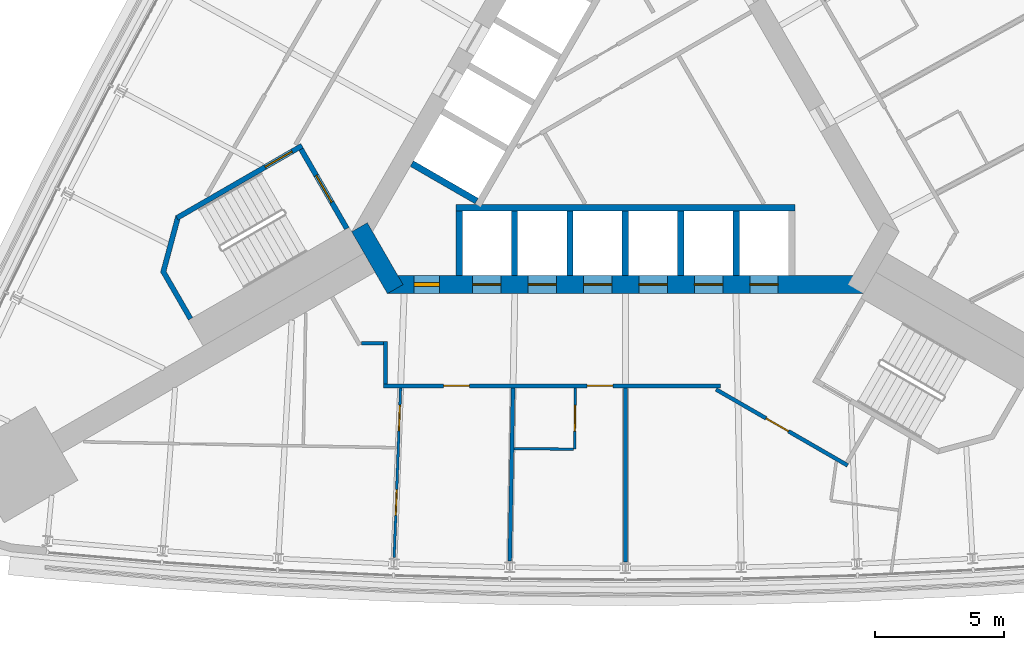
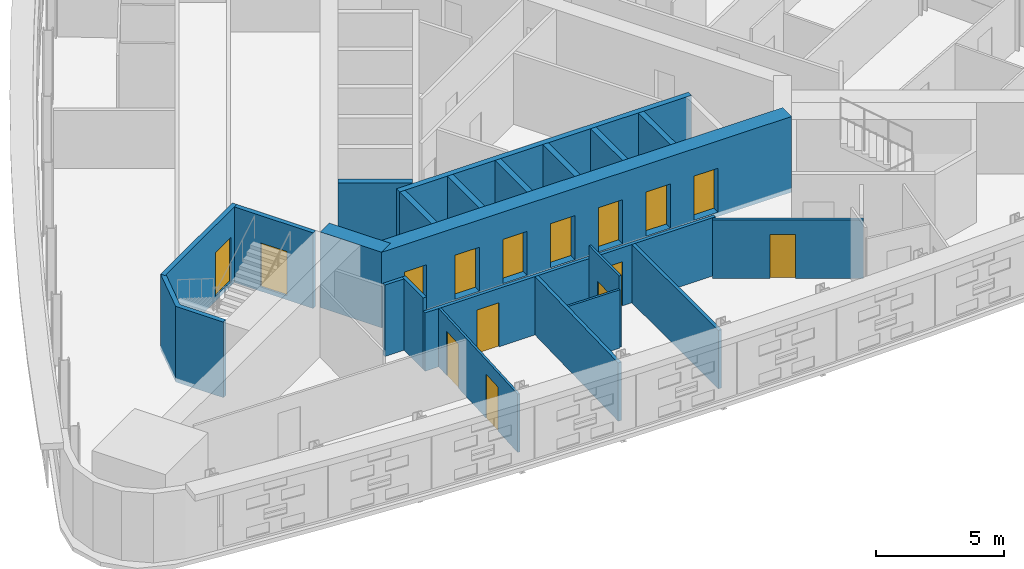
# One storey, part 10 of 15: 22 walls, 15 doors, 15 openings.
"""IFC4 building model written with IfcOpenShell, lengths in metres."""

from ifc_helpers import new_model, si_unit, direction, frame, frame_2d, origin, place, context, subcontext, project, spatial, polyline, rectangle, outline, extrude, material, layer, layer_set, type_object, element, fill, save


model = new_model("IFC4")

# Units and contexts
model_context = context("Model", 3, precision=1e-05, world=origin(), true_north=direction((0.0, 1.0)))
body_context = subcontext(model_context, "Body", "Model", "MODEL_VIEW")
ifc_project = project(units=[si_unit("LENGTHUNIT", "METRE"), si_unit("AREAUNIT", "SQUARE_METRE"), si_unit("VOLUMEUNIT", "CUBIC_METRE"), si_unit("PLANEANGLEUNIT", "RADIAN"), si_unit("MASSUNIT", "GRAM", prefix="KILO")], contexts=[model_context])

# Site, building, storey
site_placement = place(None, origin())
site = spatial("IfcSite", under=ifc_project, at=site_placement, CompositionType="ELEMENT")
building_placement = place(site_placement, origin())
building = spatial("IfcBuilding", under=site, at=building_placement, Name="Noor Cloister Tower", CompositionType="ELEMENT")
storey_placement = place(building_placement, frame((0.0, 0.0, 45.60009765625)))
storey = spatial("IfcBuildingStorey", under=building, at=storey_placement, Name="L11", CompositionType="ELEMENT", Elevation=45.60009765625)

# Wall, openings, doors
ifc_material_1 = material(Name="Concrete C80/95", Category="concrete")
ifc_layer_1 = layer(ifc_material_1, 0.699951171875)
ifc_layer_set_1 = layer_set([ifc_layer_1], Name="Core wall 700 C80/95")
wall_type_1 = type_object("IfcWallType", Name="Core wall 700 C80/95", PredefinedType="SHEAR", material=ifc_layer_set_1)
wall_1_placement = place(storey_placement, frame((-9.228759765625, -6.578125, -0.2001953125), z_axis=(0.0, 0.0, 1.0), x_axis=(1.0, 0.0, 0.0)))
wall_1 = element("IfcWall", 1, at=wall_1_placement, inside=storey, type_object=wall_type_1, Name="Core wall L11 1", PredefinedType="SHEAR", context=body_context, shape_type="SweptSolid", body=[
    extrude(rectangle(XDim=18.45751953125, YDim=0.699951171875, at=frame_2d((9.228759765625, 0.0))), origin(), (0.0, 0.0, 1.0), 3.60009765625),
])
opening_1_placement = place(wall_1_placement, frame((3.3037109375, 0.0, 0.199951171875)))
opening_1 = element("IfcOpeningElement", 2, at=opening_1_placement, cuts=wall_1, Name="Opening L11-LR1", PredefinedType="OPENING", context=body_context, shape_type="SweptSolid", body=[
    extrude(rectangle(XDim=1.10009765625, YDim=2.10009765625, at=frame_2d((0.550048828125, 1.050048828125))), frame((0.0, 0.35986328125, 0.0), z_axis=(0.0, -1.0, 0.0), x_axis=(1.0, 0.0, 0.0)), (0.0, 0.0, 1.0), 0.719970703125),
])
opening_2_placement = place(wall_1_placement, frame((5.45361328125, 0.0, 0.199951171875)))
opening_2 = element("IfcOpeningElement", 3, at=opening_2_placement, cuts=wall_1, Name="Opening L11-LR2", PredefinedType="OPENING", context=body_context, shape_type="SweptSolid", body=[
    extrude(rectangle(XDim=1.10009765625, YDim=2.10009765625, at=frame_2d((0.550048828125, 1.050048828125))), frame((0.0, 0.35986328125, 0.0), z_axis=(0.0, -1.0, 0.0), x_axis=(1.0, 0.0, 0.0)), (0.0, 0.0, 1.0), 0.719970703125),
])
opening_3_placement = place(wall_1_placement, frame((7.603759765625, 0.0, 0.199951171875)))
opening_3 = element("IfcOpeningElement", 4, at=opening_3_placement, cuts=wall_1, Name="Opening L11-LR3", PredefinedType="OPENING", context=body_context, shape_type="SweptSolid", body=[
    extrude(rectangle(XDim=1.10009765625, YDim=2.10009765625, at=frame_2d((0.550048828125, 1.050048828125))), frame((0.0, 0.35986328125, 0.0), z_axis=(0.0, -1.0, 0.0), x_axis=(1.0, 0.0, 0.0)), (0.0, 0.0, 1.0), 0.719970703125),
])
opening_4_placement = place(wall_1_placement, frame((9.753662109375, 0.0, 0.199951171875)))
opening_4 = element("IfcOpeningElement", 5, at=opening_4_placement, cuts=wall_1, Name="Opening L11-LR4", PredefinedType="OPENING", context=body_context, shape_type="SweptSolid", body=[
    extrude(rectangle(XDim=1.10009765625, YDim=2.10009765625, at=frame_2d((0.550048828125, 1.050048828125))), frame((0.0, 0.35986328125, 0.0), z_axis=(0.0, -1.0, 0.0), x_axis=(1.0, 0.0, 0.0)), (0.0, 0.0, 1.0), 0.719970703125),
])
opening_5_placement = place(wall_1_placement, frame((11.90380859375, 0.0, 0.199951171875)))
opening_5 = element("IfcOpeningElement", 6, at=opening_5_placement, cuts=wall_1, Name="Opening L11-LR5", PredefinedType="OPENING", context=body_context, shape_type="SweptSolid", body=[
    extrude(rectangle(XDim=1.10009765625, YDim=2.10009765625, at=frame_2d((0.550048828125, 1.050048828125))), frame((0.0, 0.35986328125, 0.0), z_axis=(0.0, -1.0, 0.0), x_axis=(1.0, 0.0, 0.0)), (0.0, 0.0, 1.0), 0.719970703125),
])
opening_6_placement = place(wall_1_placement, frame((14.0537109375, 0.0, 0.199951171875)))
opening_6 = element("IfcOpeningElement", 7, at=opening_6_placement, cuts=wall_1, Name="Opening L11-LR6", PredefinedType="OPENING", context=body_context, shape_type="SweptSolid", body=[
    extrude(rectangle(XDim=1.10009765625, YDim=2.10009765625, at=frame_2d((0.550048828125, 1.050048828125))), frame((0.0, 0.35986328125, 0.0), z_axis=(0.0, -1.0, 0.0), x_axis=(1.0, 0.0, 0.0)), (0.0, 0.0, 1.0), 0.719970703125),
])
opening_7_placement = place(wall_1_placement, frame((1.02880859375, 0.0, 0.199951171875)))
opening_7 = element("IfcOpeningElement", 8, at=opening_7_placement, cuts=wall_1, Name="Opening L11-907", PredefinedType="OPENING", context=body_context, shape_type="SweptSolid", body=[
    extrude(rectangle(XDim=1.0, YDim=2.10009765625, at=frame_2d((0.5, 1.050048828125))), frame((0.0, 0.35986328125, 0.0), z_axis=(0.0, -1.0, 0.0), x_axis=(1.0, 0.0, 0.0)), (0.0, 0.0, 1.0), 0.719970703125),
])
ifc_material_2 = material(Name="Steel", Category="steel")
door_type_1 = type_object("IfcDoorType", Name="Core door 1000 x 2100 FD60", OperationType="SINGLE_SWING_LEFT", PredefinedType="DOOR", material=ifc_material_2)
door_1_placement = place(opening_7_placement, origin())
door_1 = element("IfcDoor", 9, at=door_1_placement, inside=storey, type_object=door_type_1, Name="Core door 7 L11", OperationType="SINGLE_SWING_LEFT", OverallHeight=2.10009765625, OverallWidth=1.0, PredefinedType="DOOR", context=body_context, shape_type="SweptSolid", body=[
    extrude(rectangle(XDim=1.0, YDim=2.10009765625, at=frame_2d((0.5, 1.050048828125))), frame((0.0, 0.074951171875, 0.0), z_axis=(0.0, -1.0, 0.0), x_axis=(1.0, 0.0, 0.0)), (0.0, 0.0, 1.0), 0.14990234375),
])
fill(opening_7, door_1)
ifc_material_3 = material(Name="Stainless steel", Category="steel")
door_type_2 = type_object("IfcDoorType", Name="Lift landing door 1100 x 2100", OperationType="DOUBLE_DOOR_SLIDING", PredefinedType="DOOR", material=ifc_material_3)
door_2_placement = place(opening_1_placement, origin())
door_2 = element("IfcDoor", 10, at=door_2_placement, inside=storey, type_object=door_type_2, Name="Landing door LR1 L11", OperationType="DOUBLE_DOOR_SLIDING", OverallHeight=2.10009765625, OverallWidth=1.10009765625, PredefinedType="DOOR", context=body_context, shape_type="SweptSolid", body=[
    extrude(rectangle(XDim=1.10009765625, YDim=2.10009765625, at=frame_2d((0.550048828125, 1.050048828125))), frame((0.0, 0.02490234375, 0.0), z_axis=(0.0, -1.0, 0.0), x_axis=(1.0, 0.0, 0.0)), (0.0, 0.0, 1.0), 0.050048828125),
])
fill(opening_1, door_2)
door_3_placement = place(opening_2_placement, origin())
door_3 = element("IfcDoor", 11, at=door_3_placement, inside=storey, type_object=door_type_2, Name="Landing door LR2 L11", OperationType="DOUBLE_DOOR_SLIDING", OverallHeight=2.10009765625, OverallWidth=1.10009765625, PredefinedType="DOOR", context=body_context, shape_type="SweptSolid", body=[
    extrude(rectangle(XDim=1.10009765625, YDim=2.10009765625, at=frame_2d((0.550048828125, 1.050048828125))), frame((0.0, 0.02490234375, 0.0), z_axis=(0.0, -1.0, 0.0), x_axis=(1.0, 0.0, 0.0)), (0.0, 0.0, 1.0), 0.050048828125),
])
fill(opening_2, door_3)
door_4_placement = place(opening_3_placement, origin())
door_4 = element("IfcDoor", 12, at=door_4_placement, inside=storey, type_object=door_type_2, Name="Landing door LR3 L11", OperationType="DOUBLE_DOOR_SLIDING", OverallHeight=2.10009765625, OverallWidth=1.10009765625, PredefinedType="DOOR", context=body_context, shape_type="SweptSolid", body=[
    extrude(rectangle(XDim=1.10009765625, YDim=2.10009765625, at=frame_2d((0.550048828125, 1.050048828125))), frame((0.0, 0.02490234375, 0.0), z_axis=(0.0, -1.0, 0.0), x_axis=(1.0, 0.0, 0.0)), (0.0, 0.0, 1.0), 0.050048828125),
])
fill(opening_3, door_4)
door_5_placement = place(opening_4_placement, origin())
door_5 = element("IfcDoor", 13, at=door_5_placement, inside=storey, type_object=door_type_2, Name="Landing door LR4 L11", OperationType="DOUBLE_DOOR_SLIDING", OverallHeight=2.10009765625, OverallWidth=1.10009765625, PredefinedType="DOOR", context=body_context, shape_type="SweptSolid", body=[
    extrude(rectangle(XDim=1.10009765625, YDim=2.10009765625, at=frame_2d((0.550048828125, 1.050048828125))), frame((0.0, 0.02490234375, 0.0), z_axis=(0.0, -1.0, 0.0), x_axis=(1.0, 0.0, 0.0)), (0.0, 0.0, 1.0), 0.050048828125),
])
fill(opening_4, door_5)
door_6_placement = place(opening_5_placement, origin())
door_6 = element("IfcDoor", 14, at=door_6_placement, inside=storey, type_object=door_type_2, Name="Landing door LR5 L11", OperationType="DOUBLE_DOOR_SLIDING", OverallHeight=2.10009765625, OverallWidth=1.10009765625, PredefinedType="DOOR", context=body_context, shape_type="SweptSolid", body=[
    extrude(rectangle(XDim=1.10009765625, YDim=2.10009765625, at=frame_2d((0.550048828125, 1.050048828125))), frame((0.0, 0.02490234375, 0.0), z_axis=(0.0, -1.0, 0.0), x_axis=(1.0, 0.0, 0.0)), (0.0, 0.0, 1.0), 0.050048828125),
])
fill(opening_5, door_6)
door_7_placement = place(opening_6_placement, origin())
door_7 = element("IfcDoor", 15, at=door_7_placement, inside=storey, type_object=door_type_2, Name="Landing door LR6 L11", OperationType="DOUBLE_DOOR_SLIDING", OverallHeight=2.10009765625, OverallWidth=1.10009765625, PredefinedType="DOOR", context=body_context, shape_type="SweptSolid", body=[
    extrude(rectangle(XDim=1.10009765625, YDim=2.10009765625, at=frame_2d((0.550048828125, 1.050048828125))), frame((0.0, 0.02490234375, 0.0), z_axis=(0.0, -1.0, 0.0), x_axis=(1.0, 0.0, 0.0)), (0.0, 0.0, 1.0), 0.050048828125),
])
fill(opening_6, door_7)

# Wall
wall_2_placement = place(storey_placement, frame((-10.311279296875, -4.353271484375, -0.2001953125), z_axis=(0.0, 0.0, 1.0), x_axis=(0.500042739161, -0.866000726912, 0.0)))
element("IfcWall", 16, at=wall_2_placement, inside=storey, type_object=wall_type_1, Name="Core wall L11 6", PredefinedType="SHEAR", context=body_context, shape_type="SweptSolid", body=[
    extrude(rectangle(XDim=2.771240234375, YDim=0.699951171875, at=frame_2d((1.3857421875, 0.0))), origin(), (0.0, 0.0, 1.0), 3.60009765625),
])

# Wall, openings, doors
ifc_material_4 = material(Name="Gypsum board partition on steel studs, 150 mm", Category="steel")
ifc_layer_2 = layer(ifc_material_4, 0.14990234375)
ifc_layer_set_2 = layer_set([ifc_layer_2], Name="Flat wall 150")
wall_type_2 = type_object("IfcWallType", Name="Flat wall 150", PredefinedType="PARTITIONING", material=ifc_layer_set_2)
wall_3_placement = place(storey_placement, frame((3.68896484375, -10.503173828125, 0.0), z_axis=(0.0, 0.0, 1.0), x_axis=(-1.0, 0.0, 0.0)))
wall_3 = element("IfcWall", 17, at=wall_3_placement, inside=storey, type_object=wall_type_2, Name="Flat wall 150 L11 004", PredefinedType="PARTITIONING", context=body_context, shape_type="SweptSolid", body=[
    extrude(rectangle(XDim=13.067626953125, YDim=0.14990234375, at=frame_2d((6.53369140625, 0.0))), origin(), (0.0, 0.0, 1.0), 2.77783203125),
])
opening_8_placement = place(wall_3_placement, frame((9.739501953125, 0.0, 0.0)))
opening_8 = element("IfcOpeningElement", 18, at=opening_8_placement, cuts=wall_3, Name="Opening L11-008", PredefinedType="OPENING", context=body_context, shape_type="SweptSolid", body=[
    extrude(rectangle(XDim=1.0, YDim=2.10009765625, at=frame_2d((0.5, 1.050048828125))), frame((0.0, 0.0849609375, 0.0), z_axis=(0.0, -1.0, 0.0), x_axis=(1.0, 0.0, 0.0)), (0.0, 0.0, 1.0), 0.169921875),
])
opening_9_placement = place(wall_3_placement, frame((4.174560546875, 0.0, 0.0)))
opening_9 = element("IfcOpeningElement", 19, at=opening_9_placement, cuts=wall_3, Name="Opening L11-009", PredefinedType="OPENING", context=body_context, shape_type="SweptSolid", body=[
    extrude(rectangle(XDim=1.0, YDim=2.10009765625, at=frame_2d((0.5, 1.050048828125))), frame((0.0, 0.0849609375, 0.0), z_axis=(0.0, -1.0, 0.0), x_axis=(1.0, 0.0, 0.0)), (0.0, 0.0, 1.0), 0.169921875),
])
ifc_material_5 = material(Name="Timber door leaf with steel frame", Category="steel")
door_type_3 = type_object("IfcDoorType", Name="Assisted living door 1000", OperationType="NOTDEFINED", PredefinedType="DOOR", material=ifc_material_5)
door_8_placement = place(opening_9_placement, origin())
door_8 = element("IfcDoor", 20, at=door_8_placement, inside=storey, type_object=door_type_3, Name="Assisted living door 1000 L11-009", OperationType="SINGLE_SWING_LEFT", OverallHeight=2.10009765625, OverallWidth=1.0, PredefinedType="DOOR", context=body_context, shape_type="SweptSolid", body=[
    extrude(rectangle(XDim=1.0, YDim=2.10009765625, at=frame_2d((0.5, 1.050048828125))), frame((0.0, 0.02490234375, 0.0), z_axis=(0.0, -1.0, 0.0), x_axis=(1.0, 0.0, 0.0)), (0.0, 0.0, 1.0), 0.050048828125),
])
fill(opening_9, door_8)
ifc_material_6 = material(Name="Timber door leaf with steel frame", Category="steel")
door_type_4 = type_object("IfcDoorType", Name="Flat entrance door 1000 FD60S", OperationType="NOTDEFINED", PredefinedType="DOOR", material=ifc_material_6)
door_9_placement = place(opening_8_placement, origin())
door_9 = element("IfcDoor", 21, at=door_9_placement, inside=storey, type_object=door_type_4, Name="Flat entrance door 1000 L11-008", OperationType="SINGLE_SWING_RIGHT", OverallHeight=2.10009765625, OverallWidth=1.0, PredefinedType="DOOR", context=body_context, shape_type="SweptSolid", body=[
    extrude(rectangle(XDim=1.0, YDim=2.10009765625, at=frame_2d((0.5, 1.050048828125))), frame((0.0, 0.02490234375, 0.0), z_axis=(0.0, -1.0, 0.0), x_axis=(1.0, 0.0, 0.0)), (0.0, 0.0, 1.0), 0.050048828125),
])
fill(opening_8, door_9)

# Wall, opening, door
wall_4_placement = place(storey_placement, frame((8.6162109375, -13.58935546875, 0.0), z_axis=(0.0, 0.0, 1.0), x_axis=(-0.866039313704, 0.499975906538, 0.0)))
wall_4 = element("IfcWall", 22, at=wall_4_placement, inside=storey, type_object=wall_type_2, Name="Flat wall 150 L11 006", PredefinedType="PARTITIONING", context=body_context, shape_type="SweptSolid", body=[
    extrude(rectangle(XDim=5.892333984375, YDim=0.14990234375, at=frame_2d((2.9462890625, 0.0))), origin(), (0.0, 0.0, 1.0), 2.77783203125),
])
opening_10_placement = place(wall_4_placement, frame((2.648681640625, 0.0, 0.0)))
opening_10 = element("IfcOpeningElement", 23, at=opening_10_placement, cuts=wall_4, Name="Opening L11-011", PredefinedType="OPENING", context=body_context, shape_type="SweptSolid", body=[
    extrude(rectangle(XDim=1.0, YDim=2.10009765625, at=frame_2d((0.5, 1.050048828125))), frame((0.0, 0.0849609375, 0.0), z_axis=(0.0, -1.0, 0.0), x_axis=(1.0, 0.0, 0.0)), (0.0, 0.0, 1.0), 0.169921875),
])
door_10_placement = place(opening_10_placement, origin())
door_10 = element("IfcDoor", 24, at=door_10_placement, inside=storey, type_object=door_type_4, Name="Flat entrance door 1000 L11-011", OperationType="SINGLE_SWING_RIGHT", OverallHeight=2.10009765625, OverallWidth=1.0, PredefinedType="DOOR", context=body_context, shape_type="SweptSolid", body=[
    extrude(rectangle(XDim=1.0, YDim=2.10009765625, at=frame_2d((0.5, 1.050048828125))), frame((0.0, 0.02490234375, 0.0), z_axis=(0.0, -1.0, 0.0), x_axis=(1.0, 0.0, 0.0)), (0.0, 0.0, 1.0), 0.050048828125),
])
fill(opening_10, door_10)

# Walls
wall_5_placement = place(storey_placement, frame((-9.3037109375, -10.42822265625, 0.0), z_axis=(0.0, 0.0, 1.0), x_axis=(0.0, 1.0, 0.0)))
element("IfcWall", 25, at=wall_5_placement, inside=storey, type_object=wall_type_2, Name="Flat wall 150 L11 014", PredefinedType="PARTITIONING", context=body_context, shape_type="SweptSolid", body=[
    extrude(rectangle(XDim=1.64990234375, YDim=0.14990234375, at=frame_2d((0.824951171875, 0.0))), origin(), (0.0, 0.0, 1.0), 3.39990234375),
])
wall_6_placement = place(storey_placement, frame((-10.23779296875, -8.853271484375, 0.0), z_axis=(0.0, 0.0, 1.0), x_axis=(1.0, 0.0, 0.0)))
element("IfcWall", 26, at=wall_6_placement, inside=storey, type_object=wall_type_2, Name="Flat wall 150 L11 015", PredefinedType="PARTITIONING", context=body_context, shape_type="SweptSolid", body=[
    extrude(rectangle(XDim=0.859130859375, YDim=0.14990234375, at=frame_2d((0.4296875, 0.0))), origin(), (0.0, 0.0, 1.0), 3.39990234375),
])
wall_7_placement = place(storey_placement, frame((0.0, -17.3310546875, 0.0), z_axis=(0.0, 0.0, 1.0), x_axis=(0.0, 1.0, 0.0)))
element("IfcWall", 27, at=wall_7_placement, inside=storey, type_object=wall_type_2, Name="Flat wall 150 L11 018", PredefinedType="PARTITIONING", context=body_context, shape_type="SweptSolid", body=[
    extrude(rectangle(XDim=6.7529296875, YDim=0.14990234375, at=frame_2d((3.37646484375, 0.0))), origin(), (0.0, 0.0, 1.0), 2.77783203125),
])
wall_8_placement = place(storey_placement, frame((-4.484619140625, -17.288818359375, 0.0), z_axis=(0.0, 0.0, 1.0), x_axis=(0.018918777789, 0.999821023907, 0.0)))
element("IfcWall", 28, at=wall_8_placement, inside=storey, type_object=wall_type_2, Name="Flat wall 150 L11 019", PredefinedType="PARTITIONING", context=body_context, shape_type="SweptSolid", body=[
    extrude(rectangle(XDim=6.71044921875, YDim=0.14990234375, at=frame_2d((3.355224609375, 0.0))), origin(), (0.0, 0.0, 1.0), 2.77783203125),
])

# Wall, openings, doors
ifc_material_7 = material(Name="Gypsum board partition on steel studs, 100 mm", Category="steel")
ifc_layer_3 = layer(ifc_material_7, 0.10009765625)
ifc_layer_set_3 = layer_set([ifc_layer_3], Name="Partition 100")
wall_type_3 = type_object("IfcWallType", Name="Partition 100", PredefinedType="PARTITIONING", material=ifc_layer_set_3)
wall_9_placement = place(storey_placement, frame((-8.967529296875, -17.16162109375, 0.0), z_axis=(0.0, 0.0, 1.0), x_axis=(0.037809580141, 0.999284962185, 0.0)))
wall_9 = element("IfcWall", 29, at=wall_9_placement, inside=storey, type_object=wall_type_3, Name="Partition 100 L11 027", PredefinedType="PARTITIONING", context=body_context, shape_type="SweptSolid", body=[
    extrude(rectangle(XDim=6.586181640625, YDim=0.10009765625, at=frame_2d((3.29296875, 0.0))), origin(), (0.0, 0.0, 1.0), 2.77783203125),
])
opening_11_placement = place(wall_9_placement, frame((4.9169921875, 0.0, 0.0)))
opening_11 = element("IfcOpeningElement", 30, at=opening_11_placement, cuts=wall_9, Name="Opening L11-020", PredefinedType="OPENING", context=body_context, shape_type="SweptSolid", body=[
    extrude(rectangle(XDim=1.0, YDim=2.10009765625, at=frame_2d((0.5, 1.050048828125))), frame((0.0, 0.06005859375, 0.0), z_axis=(0.0, -1.0, 0.0), x_axis=(1.0, 0.0, 0.0)), (0.0, 0.0, 1.0), 0.1201171875),
])
opening_12_placement = place(wall_9_placement, frame((1.63525390625, 0.0, 0.0)))
opening_12 = element("IfcOpeningElement", 31, at=opening_12_placement, cuts=wall_9, Name="Opening L11-021", PredefinedType="OPENING", context=body_context, shape_type="SweptSolid", body=[
    extrude(rectangle(XDim=1.0, YDim=2.10009765625, at=frame_2d((0.5, 1.050048828125))), frame((0.0, 0.06005859375, 0.0), z_axis=(0.0, -1.0, 0.0), x_axis=(1.0, 0.0, 0.0)), (0.0, 0.0, 1.0), 0.1201171875),
])
ifc_material_8 = material(Name="Timber door leaf with steel frame", Category="steel")
door_type_5 = type_object("IfcDoorType", Name="Interior door 1000", OperationType="NOTDEFINED", PredefinedType="DOOR", material=ifc_material_8)
door_11_placement = place(opening_11_placement, origin())
door_11 = element("IfcDoor", 32, at=door_11_placement, inside=storey, type_object=door_type_5, Name="Interior door 1000 L11-020", OperationType="SINGLE_SWING_RIGHT", OverallHeight=2.10009765625, OverallWidth=1.0, PredefinedType="DOOR", context=body_context, shape_type="SweptSolid", body=[
    extrude(rectangle(XDim=1.0, YDim=2.10009765625, at=frame_2d((0.5, 1.050048828125))), frame((0.0, 0.02490234375, 0.0), z_axis=(0.0, -1.0, 0.0), x_axis=(1.0, 0.0, 0.0)), (0.0, 0.0, 1.0), 0.050048828125),
])
fill(opening_11, door_11)
door_12_placement = place(opening_12_placement, origin())
door_12 = element("IfcDoor", 33, at=door_12_placement, inside=storey, type_object=door_type_5, Name="Interior door 1000 L11-021", OperationType="SINGLE_SWING_LEFT", OverallHeight=2.10009765625, OverallWidth=1.0, PredefinedType="DOOR", context=body_context, shape_type="SweptSolid", body=[
    extrude(rectangle(XDim=1.0, YDim=2.10009765625, at=frame_2d((0.5, 1.050048828125))), frame((0.0, 0.02490234375, 0.0), z_axis=(0.0, -1.0, 0.0), x_axis=(1.0, 0.0, 0.0)), (0.0, 0.0, 1.0), 0.050048828125),
])
fill(opening_12, door_12)

# Wall, opening, door
wall_10_placement = place(storey_placement, frame((-1.968505859375, -12.96044921875, 0.0), z_axis=(0.0, 0.0, 1.0), x_axis=(0.009429675035, 0.999955539626, 0.0)))
wall_10 = element("IfcWall", 34, at=wall_10_placement, inside=storey, type_object=wall_type_3, Name="Partition 100 L11 037", PredefinedType="PARTITIONING", context=body_context, shape_type="SweptSolid", body=[
    extrude(rectangle(XDim=2.3818359375, YDim=0.10009765625, at=frame_2d((1.19091796875, 0.0))), origin(), (0.0, 0.0, 1.0), 3.39990234375),
])
opening_13_placement = place(wall_10_placement, frame((0.699951171875, 0.0, 0.0)))
opening_13 = element("IfcOpeningElement", 35, at=opening_13_placement, cuts=wall_10, Name="Opening L11-027", PredefinedType="OPENING", context=body_context, shape_type="SweptSolid", body=[
    extrude(rectangle(XDim=1.0, YDim=2.10009765625, at=frame_2d((0.5, 1.050048828125))), frame((0.0, 0.06005859375, 0.0), z_axis=(0.0, -1.0, 0.0), x_axis=(1.0, 0.0, 0.0)), (0.0, 0.0, 1.0), 0.1201171875),
])
door_13_placement = place(opening_13_placement, origin())
door_13 = element("IfcDoor", 36, at=door_13_placement, inside=storey, type_object=door_type_5, Name="Interior door 1000 L11-027", OperationType="SINGLE_SWING_RIGHT", OverallHeight=2.10009765625, OverallWidth=1.0, PredefinedType="DOOR", context=body_context, shape_type="SweptSolid", body=[
    extrude(rectangle(XDim=1.0, YDim=2.10009765625, at=frame_2d((0.5, 1.050048828125))), frame((0.0, 0.02490234375, 0.0), z_axis=(0.0, -1.0, 0.0), x_axis=(1.0, 0.0, 0.0)), (0.0, 0.0, 1.0), 0.050048828125),
])
fill(opening_13, door_13)

# Walls
wall_11_placement = place(storey_placement, frame((-4.326904296875, -12.93798828125, 0.0), z_axis=(0.0, 0.0, 1.0), x_axis=(0.999954699557, -0.009518341931, 0.0)))
element("IfcWall", 37, at=wall_11_placement, inside=storey, type_object=wall_type_3, Name="Partition 100 L11 039", PredefinedType="PARTITIONING", context=body_context, shape_type="SweptSolid", body=[
    extrude(rectangle(XDim=2.308349609375, YDim=0.10009765625, at=frame_2d((1.154296875, 0.0))), origin(), (0.0, 0.0, 1.0), 2.77783203125),
])
ifc_material_9 = material(Name="Concrete C80/95", Category="concrete")
ifc_layer_4 = layer(ifc_material_9, 0.25)
ifc_layer_set_4 = layer_set([ifc_layer_4], Name="Shaft wall 250 C80/95")
wall_type_4 = type_object("IfcWallType", Name="Shaft wall 250 C80/95", PredefinedType="PARTITIONING", material=ifc_layer_set_4)
for number, where, z_axis, x_axis, name in (
    (38, (-6.449951171875, -6.228271484375, -0.2001953125), (0.0, 0.0, 1.0), (0.0, 1.0, 0.0), "Lift shaft wall L11 S 1"),
    (39, (-4.300048828125, -6.228271484375, -0.2001953125), (0.0, 0.0, 1.0), (0.0, 1.0, 0.0), "Lift shaft wall L11 S 2"),
    (40, (-2.14990234375, -6.228271484375, -0.2001953125), (0.0, 0.0, 1.0), (0.0, 1.0, 0.0), "Lift shaft wall L11 S 3"),
    (41, (0.0, -6.228271484375, -0.2001953125), (0.0, 0.0, 1.0), (0.0, 1.0, 0.0), "Lift shaft wall L11 S 4"),
    (42, (2.14990234375, -6.228271484375, -0.2001953125), (0.0, 0.0, 1.0), (0.0, 1.0, 0.0), "Lift shaft wall L11 S 5"),
    (43, (4.300048828125, -6.228271484375, -0.2001953125), (0.0, 0.0, 1.0), (0.0, 1.0, 0.0), "Lift shaft wall L11 S 6"),
):
    element("IfcWall", number, at=place(storey_placement, frame(where, z_axis=z_axis, x_axis=x_axis)), inside=storey, type_object=wall_type_4, Name=name, PredefinedType="PARTITIONING", context=body_context, shape_type="SweptSolid", body=[
        extrude(rectangle(XDim=2.5, YDim=0.25, at=frame_2d((1.25, 0.0))), origin(), (0.0, 0.0, 1.0), 3.60009765625),
    ])
wall_12_placement = place(storey_placement, frame((-6.574951171875, -3.603271484375, 0.0), z_axis=(0.0, 0.0, 1.0), x_axis=(1.0, 0.0, 0.0)))
element("IfcWall", 44, at=wall_12_placement, inside=storey, type_object=wall_type_4, Name="Lift shaft back wall L11 S", PredefinedType="PARTITIONING", context=body_context, shape_type="SweptSolid", body=[
    extrude(rectangle(XDim=13.14990234375, YDim=0.25, at=frame_2d((6.574951171875, 0.0))), origin(), (0.0, 0.0, 1.0), 3.39990234375),
])
wall_13_placement = place(storey_placement, frame((-8.28125, -1.88720703125, -0.2001953125), z_axis=(0.0, 0.0, 1.0), x_axis=(0.866032775405, -0.499987231761, 0.0)))
element("IfcWall", 45, at=wall_13_placement, inside=storey, type_object=wall_type_4, Name="Lift shaft wall L11 NW 6", PredefinedType="PARTITIONING", context=body_context, shape_type="SweptSolid", body=[
    extrude(rectangle(XDim=2.89990234375, YDim=0.25, at=frame_2d((1.449951171875, 0.0))), origin(), (0.0, 0.0, 1.0), 3.60009765625),
])

# Wall, opening, door
ifc_material_10 = material(Name="Concrete C80/95", Category="concrete")
ifc_layer_5 = layer(ifc_material_10, 0.199951171875)
ifc_layer_set_5 = layer_set([ifc_layer_5], Name="Stair enclosure wall 200 C80/95")
wall_type_5 = type_object("IfcWallType", Name="Stair enclosure wall 200 C80/95", PredefinedType="SHEAR", material=ifc_layer_set_5)
wall_14_placement = place(storey_placement, frame((-12.575927734375, -1.33056640625, -0.2001953125), z_axis=(0.0, 0.0, 1.0), x_axis=(0.499970499736, -0.8660424351, 0.0)))
wall_14 = element("IfcWall", 46, at=wall_14_placement, inside=storey, type_object=wall_type_5, Name="Stair enclosure wall ST2 L11 near end", PredefinedType="SHEAR", context=body_context, shape_type="SweptSolid", body=[
    extrude(rectangle(XDim=3.550048828125, YDim=0.199951171875, at=frame_2d((1.77490234375, 0.0))), origin(), (0.0, 0.0, 1.0), 3.60009765625),
])
opening_14_placement = place(wall_14_placement, frame((1.175048828125, 0.0, 0.199951171875)))
opening_14 = element("IfcOpeningElement", 47, at=opening_14_placement, cuts=wall_14, Name="Opening L11-ST2L", PredefinedType="OPENING", context=body_context, shape_type="SweptSolid", body=[
    extrude(rectangle(XDim=1.199951171875, YDim=2.10009765625, at=frame_2d((0.60009765625, 1.050048828125))), frame((0.0, 0.10986328125, 0.0), z_axis=(0.0, -1.0, 0.0), x_axis=(1.0, 0.0, 0.0)), (0.0, 0.0, 1.0), 0.219970703125),
])
ifc_material_11 = material(Name="Steel", Category="steel")
door_type_6 = type_object("IfcDoorType", Name="Stair door 1200 x 2100 FD120", OperationType="SINGLE_SWING_LEFT", PredefinedType="DOOR", material=ifc_material_11)
door_14_placement = place(opening_14_placement, origin())
door_14 = element("IfcDoor", 48, at=door_14_placement, inside=storey, type_object=door_type_6, Name="Stair door ST2 L11", OperationType="SINGLE_SWING_RIGHT", OverallHeight=2.10009765625, OverallWidth=1.199951171875, PredefinedType="DOOR", context=body_context, shape_type="SweptSolid", body=[
    extrude(rectangle(XDim=1.199951171875, YDim=2.10009765625, at=frame_2d((0.60009765625, 1.050048828125))), frame((0.0, 0.02490234375, 0.0), z_axis=(0.0, -1.0, 0.0), x_axis=(1.0, 0.0, 0.0)), (0.0, 0.0, 1.0), 0.050048828125),
])
fill(opening_14, door_14)

wall_15_placement = place(storey_placement, frame((-12.539306640625, -1.194091796875, -0.2001953125), z_axis=(0.0, 0.0, 1.0), x_axis=(-0.866045472092, -0.499965239061, 0.0)))
wall_15 = element("IfcWall", 49, at=wall_15_placement, inside=storey, type_object=wall_type_5, Name="Stair enclosure wall ST2 L11 outer side", PredefinedType="SHEAR", context=body_context, shape_type="SweptSolid", body=[
    extrude(rectangle(XDim=5.60009765625, YDim=0.199951171875, at=frame_2d((2.800048828125, 0.0))), origin(), (0.0, 0.0, 1.0), 3.60009765625),
])
opening_15_placement = place(wall_15_placement, frame((0.449951171875, 0.0, 0.199951171875)))
opening_15 = element("IfcOpeningElement", 50, at=opening_15_placement, cuts=wall_15, Name="Opening L11-ST2C", PredefinedType="OPENING", context=body_context, shape_type="SweptSolid", body=[
    extrude(rectangle(XDim=1.199951171875, YDim=2.10009765625, at=frame_2d((0.60009765625, 1.050048828125))), frame((0.0, 0.10986328125, 0.0), z_axis=(0.0, -1.0, 0.0), x_axis=(1.0, 0.0, 0.0)), (0.0, 0.0, 1.0), 0.219970703125),
])
door_15_placement = place(opening_15_placement, origin())
door_15 = element("IfcDoor", 51, at=door_15_placement, inside=storey, type_object=door_type_6, Name="Stair door ST2 L11", OperationType="SINGLE_SWING_LEFT", OverallHeight=2.10009765625, OverallWidth=1.199951171875, PredefinedType="DOOR", context=body_context, shape_type="SweptSolid", body=[
    extrude(rectangle(XDim=1.199951171875, YDim=2.10009765625, at=frame_2d((0.60009765625, 1.050048828125))), frame((0.0, 0.02490234375, 0.0), z_axis=(0.0, -1.0, 0.0), x_axis=(1.0, 0.0, 0.0)), (0.0, 0.0, 1.0), 0.050048828125),
])
fill(opening_15, door_15)

# Wall
ifc_material_12 = material(Name="Concrete C80/95", Category="concrete")
wall_type_6 = type_object("IfcWallType", Name="Stair far end wall C80/95", PredefinedType="SHEAR", material=ifc_material_12)
wall_16_placement = place(storey_placement, frame((0.0, 0.0, -0.2001953125)))
element("IfcWall", 52, at=wall_16_placement, inside=storey, type_object=wall_type_6, Name="Stair enclosure wall ST2 L11 far end", PredefinedType="SHEAR", context=body_context, shape_type="SweptSolid", body=[
    extrude(outline(polyline([(-17.439208984375, -3.907470703125), (-18.024658203125, -6.093017578125), (-16.94970703125, -7.955078125), (-16.776611328125, -7.85498046875), (-17.81005859375, -6.064697265625), (-17.267333984375, -4.039306640625), (-17.339111328125, -4.08056640625), (-17.339111328125, -4.08056640625), (-17.339111328125, -4.08056640625), (-17.339111328125, -4.08056640625), (-17.339111328125, -4.08056640625), (-17.339111328125, -4.08056640625), (-17.339111328125, -4.08056640625), (-17.339111328125, -4.08056640625), (-17.339111328125, -4.08056640625), (-17.339111328125, -4.08056640625), (-17.339111328125, -4.08056640625), (-17.339111328125, -4.08056640625), (-17.339111328125, -4.08056640625), (-17.339111328125, -4.08056640625), (-17.339111328125, -4.08056640625), (-17.339111328125, -4.08056640625), (-17.339111328125, -4.08056640625), (-17.439208984375, -3.907470703125)])), origin(), (0.0, 0.0, 1.0), 3.60009765625),
])

save(model, "model.ifc")
